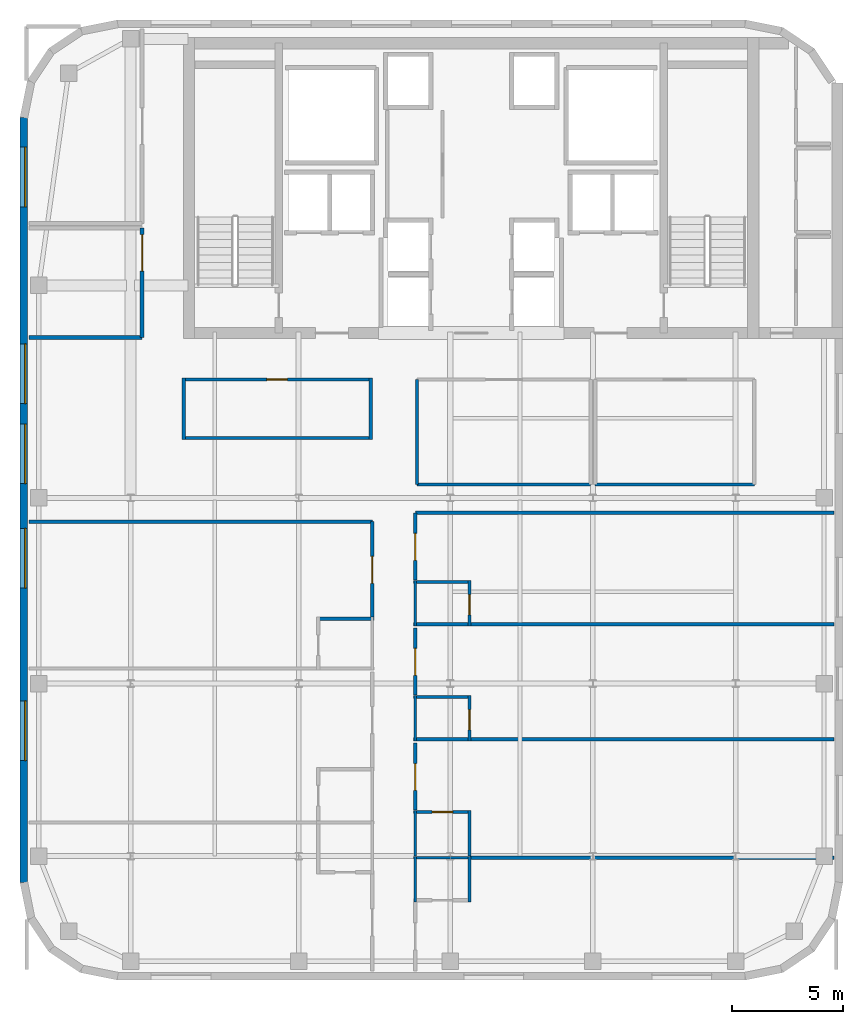
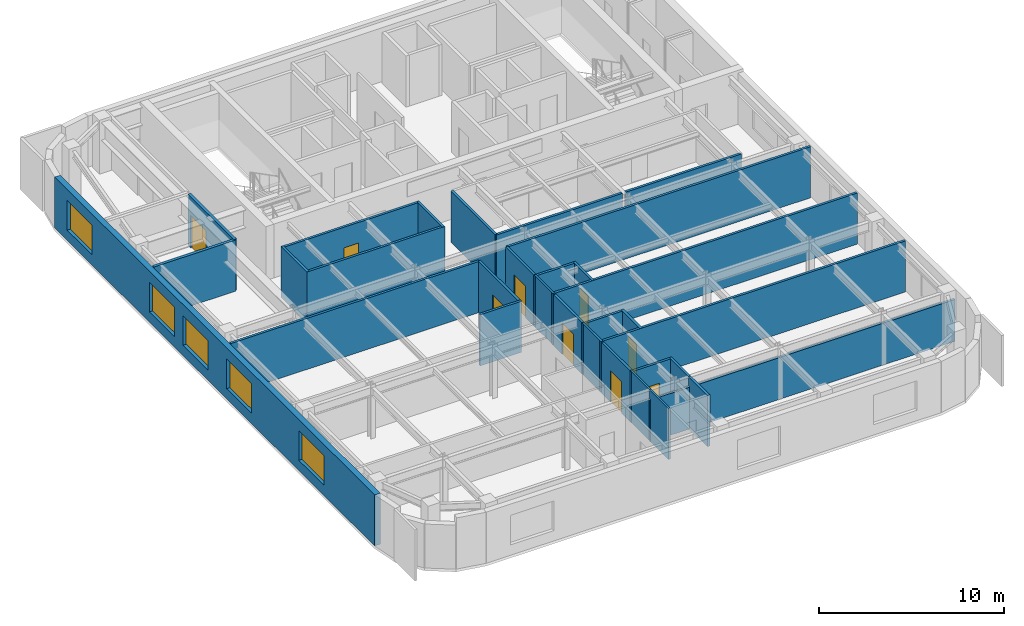
# One storey, part 4 of 8: 32 walls, 9 doors, 5 windows, 14 openings.
"""IFC4 building model written with IfcOpenShell, lengths in metres."""

from ifc_helpers import new_model, si_unit, direction, frame, frame_2d, origin, place, context, subcontext, project, spatial, rectangle, extrude, source, transform, mapped, material, layer, layer_set, type_object, type_shapes, element, fill, save


model = new_model("IFC4")

# Units and contexts
model_context = context("Model", 3, precision=1e-05, world=origin(), true_north=direction((0.0, 1.0)))
body_context = subcontext(model_context, "Body", "Model", "MODEL_VIEW")
ifc_project = project(units=[si_unit("LENGTHUNIT", "METRE"), si_unit("AREAUNIT", "SQUARE_METRE"), si_unit("VOLUMEUNIT", "CUBIC_METRE"), si_unit("PLANEANGLEUNIT", "RADIAN"), si_unit("MASSUNIT", "GRAM", prefix="KILO")], contexts=[model_context])

# Site, building, storey
site_placement = place(None, origin())
site = spatial("IfcSite", under=ifc_project, at=site_placement, CompositionType="ELEMENT")
building_placement = place(site_placement, origin())
building = spatial("IfcBuilding", under=site, at=building_placement, Name="Tolvann Quenvar Hotel", CompositionType="ELEMENT")
storey_placement = place(building_placement, frame((0.0, 0.0, 231.0)))
storey = spatial("IfcBuildingStorey", under=building, at=storey_placement, Name="L61", CompositionType="ELEMENT", Elevation=231.0)

# Wall, openings, windows
ifc_material_1 = material(Name="Kiln-fired red and buff architectural clay brickwork and terracotta masonry", Category="masonry")
ifc_layer_1 = layer(ifc_material_1, 0.35009765625)
ifc_layer_set_1 = layer_set([ifc_layer_1], Name="Kiln-fired red and buff architectural clay brickwork and terracotta masonry")
wall_type_1 = type_object("IfcWallType", Name="WALL_EXT_BRICK_350", PredefinedType="SOLIDWALL", material=ifc_layer_set_1)
wall_1_placement = place(storey_placement, frame((2.77490234375, 41.582763671875, 0.0), z_axis=(0.0, 0.0, 1.0), x_axis=(0.0, -1.0, 0.0)))
wall_1 = element("IfcWall", 1, at=wall_1_placement, inside=storey, type_object=wall_type_1, Name="Exterior Chicago Brick Wall L61-E19", PredefinedType="SOLIDWALL", context=body_context, shape_type="SweptSolid", body=[
    extrude(rectangle(XDim=34.565673828125, YDim=0.35009765625, at=frame_2d((17.28271484375, 0.0))), origin(), (0.0, 0.0, 1.0), 3.3701171875),
])
opening_1_placement = place(wall_1_placement, frame((1.3349609375, 0.0, 0.679931640625)))
opening_1 = element("IfcOpeningElement", 2, at=opening_1_placement, cuts=wall_1, Name="Opening W-04", PredefinedType="OPENING", context=body_context, shape_type="SweptSolid", body=[
    extrude(rectangle(XDim=2.699951171875, YDim=1.949951171875, at=frame_2d((1.35009765625, 0.97509765625))), frame((0.0, 0.18505859375, 0.0), z_axis=(0.0, -1.0, 0.0), x_axis=(1.0, 0.0, 0.0)), (0.0, 0.0, 1.0), 0.3701171875),
])
opening_2_placement = place(wall_1_placement, frame((10.22705078125, 0.0, 0.679931640625)))
opening_2 = element("IfcOpeningElement", 3, at=opening_2_placement, cuts=wall_1, Name="Opening W-04", PredefinedType="OPENING", context=body_context, shape_type="SweptSolid", body=[
    extrude(rectangle(XDim=2.699951171875, YDim=1.949951171875, at=frame_2d((1.35009765625, 0.97509765625))), frame((0.0, 0.18505859375, 0.0), z_axis=(0.0, -1.0, 0.0), x_axis=(1.0, 0.0, 0.0)), (0.0, 0.0, 1.0), 0.3701171875),
])
opening_3_placement = place(wall_1_placement, frame((13.846923828125, 0.0, 0.679931640625)))
opening_3 = element("IfcOpeningElement", 4, at=opening_3_placement, cuts=wall_1, Name="Opening W-04", PredefinedType="OPENING", context=body_context, shape_type="SweptSolid", body=[
    extrude(rectangle(XDim=2.699951171875, YDim=1.949951171875, at=frame_2d((1.35009765625, 0.97509765625))), frame((0.0, 0.18505859375, 0.0), z_axis=(0.0, -1.0, 0.0), x_axis=(1.0, 0.0, 0.0)), (0.0, 0.0, 1.0), 0.3701171875),
])
opening_4_placement = place(wall_1_placement, frame((18.568115234375, 0.0, 0.679931640625)))
opening_4 = element("IfcOpeningElement", 5, at=opening_4_placement, cuts=wall_1, Name="Opening W-04", PredefinedType="OPENING", context=body_context, shape_type="SweptSolid", body=[
    extrude(rectangle(XDim=2.699951171875, YDim=1.949951171875, at=frame_2d((1.35009765625, 0.97509765625))), frame((0.0, 0.18505859375, 0.0), z_axis=(0.0, -1.0, 0.0), x_axis=(1.0, 0.0, 0.0)), (0.0, 0.0, 1.0), 0.3701171875),
])
opening_5_placement = place(wall_1_placement, frame((26.360107421875, 0.0, 0.679931640625)))
opening_5 = element("IfcOpeningElement", 6, at=opening_5_placement, cuts=wall_1, Name="Opening W-04", PredefinedType="OPENING", context=body_context, shape_type="SweptSolid", body=[
    extrude(rectangle(XDim=2.699951171875, YDim=1.949951171875, at=frame_2d((1.35009765625, 0.97509765625))), frame((0.0, 0.18505859375, 0.0), z_axis=(0.0, -1.0, 0.0), x_axis=(1.0, 0.0, 0.0)), (0.0, 0.0, 1.0), 0.3701171875),
])
ifc_material_2 = material(Name="Thermally broken bronze-anodised aluminium frame with double low-E glazing", Category="aluminium")
window_type = type_object("IfcWindowType", Name="WIN_STE_2700x2150", PartitioningType="TRIPLE_PANEL_HORIZONTAL", PredefinedType="WINDOW", material=ifc_material_2)
shared_shape_1 = source(origin(), body_context, "Body", "SweptSolid", [
    extrude(rectangle(XDim=2.699951171875, YDim=1.949951171875, at=frame_2d((1.35009765625, 0.97509765625))), frame((0.0, 0.090087890625, 0.0), z_axis=(0.0, -1.0, 0.0), x_axis=(1.0, 0.0, 0.0)), (0.0, 0.0, 1.0), 0.06005859375),
])
type_shapes(window_type, [shared_shape_1])
window_1_placement = place(opening_1_placement, origin())
window_1 = element("IfcWindow", 7, at=window_1_placement, inside=storey, type_object=window_type, Name="Chicago Window W-04 (EW-L61-E19-W01)", OverallHeight=1.949951171875, OverallWidth=2.699951171875, PartitioningType="TRIPLE_PANEL_HORIZONTAL", PredefinedType="WINDOW", context=body_context, shape_type="MappedRepresentation", body=[
    mapped(shared_shape_1, transform((0.0, 0.0, 0.0), x_axis=(1.0, 0.0, 0.0), y_axis=(0.0, 1.0, 0.0), z_axis=(0.0, 0.0, 1.0), scale=1.0)),
])
fill(opening_1, window_1)
window_2_placement = place(opening_2_placement, origin())
window_2 = element("IfcWindow", 8, at=window_2_placement, inside=storey, type_object=window_type, Name="Chicago Window W-04 (EW-L61-E19-W02)", OverallHeight=1.949951171875, OverallWidth=2.699951171875, PartitioningType="TRIPLE_PANEL_HORIZONTAL", PredefinedType="WINDOW", context=body_context, shape_type="MappedRepresentation", body=[
    mapped(shared_shape_1, transform((0.0, 0.0, 0.0), x_axis=(1.0, 0.0, 0.0), y_axis=(0.0, 1.0, 0.0), z_axis=(0.0, 0.0, 1.0), scale=1.0)),
])
fill(opening_2, window_2)
window_3_placement = place(opening_3_placement, origin())
window_3 = element("IfcWindow", 9, at=window_3_placement, inside=storey, type_object=window_type, Name="Chicago Window W-04 (EW-L61-E19-W03)", OverallHeight=1.949951171875, OverallWidth=2.699951171875, PartitioningType="TRIPLE_PANEL_HORIZONTAL", PredefinedType="WINDOW", context=body_context, shape_type="MappedRepresentation", body=[
    mapped(shared_shape_1, transform((0.0, 0.0, 0.0), x_axis=(1.0, 0.0, 0.0), y_axis=(0.0, 1.0, 0.0), z_axis=(0.0, 0.0, 1.0), scale=1.0)),
])
fill(opening_3, window_3)
window_4_placement = place(opening_4_placement, origin())
window_4 = element("IfcWindow", 10, at=window_4_placement, inside=storey, type_object=window_type, Name="Chicago Window W-04 (EW-L61-E19-W04)", OverallHeight=1.949951171875, OverallWidth=2.699951171875, PartitioningType="TRIPLE_PANEL_HORIZONTAL", PredefinedType="WINDOW", context=body_context, shape_type="MappedRepresentation", body=[
    mapped(shared_shape_1, transform((0.0, 0.0, 0.0), x_axis=(1.0, 0.0, 0.0), y_axis=(0.0, 1.0, 0.0), z_axis=(0.0, 0.0, 1.0), scale=1.0)),
])
fill(opening_4, window_4)
window_5_placement = place(opening_5_placement, origin())
window_5 = element("IfcWindow", 11, at=window_5_placement, inside=storey, type_object=window_type, Name="Chicago Window W-04 (EW-L61-E19-W05)", OverallHeight=1.949951171875, OverallWidth=2.699951171875, PartitioningType="TRIPLE_PANEL_HORIZONTAL", PredefinedType="WINDOW", context=body_context, shape_type="MappedRepresentation", body=[
    mapped(shared_shape_1, transform((0.0, 0.0, 0.0), x_axis=(1.0, 0.0, 0.0), y_axis=(0.0, 1.0, 0.0), z_axis=(0.0, 0.0, 1.0), scale=1.0)),
])
fill(opening_5, window_5)

# Wall
ifc_material_3 = material(Name="Acoustic twin-stud fire-rated gypsum plasterboard partition")
ifc_layer_2 = layer(ifc_material_3, 0.179931640625)
ifc_layer_set_2 = layer_set([ifc_layer_2], Name="Acoustic twin-stud fire-rated gypsum plasterboard partition")
wall_type_2 = type_object("IfcWallType", Name="WALL_PART_ACOUSTIC_180", PredefinedType="PARTITIONING", material=ifc_layer_set_2)
wall_2_placement = place(storey_placement, frame((3.0048828125, 31.64990234375, 0.0), z_axis=(0.0, 0.0, 1.0), x_axis=(1.0, 0.0, 0.0)))
element("IfcWall", 12, at=wall_2_placement, inside=storey, type_object=wall_type_2, Name="Interior Partition PT-SPC-L61-SAL-S", PredefinedType="PARTITIONING", context=body_context, shape_type="SweptSolid", body=[
    extrude(rectangle(XDim=5.115234375, YDim=0.179931640625, at=frame_2d((2.5576171875, 0.0))), origin(), (0.0, 0.0, 1.0), 3.3701171875),
])

# Wall, opening, door
wall_3_placement = place(storey_placement, frame((8.1201171875, 31.64990234375, 0.0), z_axis=(0.0, 0.0, 1.0), x_axis=(0.0, 1.0, 0.0)))
wall_3 = element("IfcWall", 13, at=wall_3_placement, inside=storey, type_object=wall_type_2, Name="Interior Partition PT-SPC-L61-SAL-E", PredefinedType="PARTITIONING", context=body_context, shape_type="SweptSolid", body=[
    extrude(rectangle(XDim=4.9501953125, YDim=0.179931640625, at=frame_2d((2.47509765625, 0.0))), origin(), (0.0, 0.0, 1.0), 3.3701171875),
])
opening_6_placement = place(wall_3_placement, frame((3.0, 0.0, 0.0)))
opening_6 = element("IfcOpeningElement", 14, at=opening_6_placement, cuts=wall_3, Name="Opening AD-01", PredefinedType="OPENING", context=body_context, shape_type="SweptSolid", body=[
    extrude(rectangle(XDim=1.64990234375, YDim=2.14990234375, at=frame_2d((0.824951171875, 1.074951171875))), frame((0.0, 0.10009765625, 0.0), z_axis=(0.0, -1.0, 0.0), x_axis=(1.0, 0.0, 0.0)), (0.0, 0.0, 1.0), 0.199951171875),
])
ifc_material_4 = material(Name="Solid-core American oak acoustic fire door leaf in steel frame", Category="steel")
door_type_1 = type_object("IfcDoorType", Name="DOOR_SALON_1650", OperationType="NOTDEFINED", PredefinedType="DOOR", material=ifc_material_4)
shared_shape_2 = source(origin(), body_context, "Body", "SweptSolid", [
    extrude(rectangle(XDim=1.64990234375, YDim=2.14990234375, at=frame_2d((0.824951171875, 1.074951171875))), frame((0.0, 0.02490234375, 0.0), z_axis=(0.0, -1.0, 0.0), x_axis=(1.0, 0.0, 0.0)), (0.0, 0.0, 1.0), 0.050048828125),
])
type_shapes(door_type_1, [shared_shape_2])
door_1_placement = place(opening_6_placement, origin())
door_1 = element("IfcDoor", 15, at=door_1_placement, inside=storey, type_object=door_type_1, Name="Interior Door DOOR-SPC-L61-SAL", OperationType="DOUBLE_DOOR_SINGLE_SWING", OverallHeight=2.14990234375, OverallWidth=1.64990234375, PredefinedType="DOOR", context=body_context, shape_type="MappedRepresentation", body=[
    mapped(shared_shape_2, transform((0.0, 0.0, 0.0), x_axis=(1.0, 0.0, 0.0), y_axis=(0.0, 1.0, 0.0), z_axis=(0.0, 0.0, 1.0), scale=1.0)),
])
fill(opening_6, door_1)

# Walls
ifc_material_5 = material(Name="Moisture-resistant acoustic plumbing wall assembly")
ifc_layer_3 = layer(ifc_material_5, 0.1201171875)
ifc_layer_set_3 = layer_set([ifc_layer_3], Name="Moisture-resistant acoustic plumbing wall assembly")
wall_type_3 = type_object("IfcWallType", Name="WALL_PART_BATH_120", PredefinedType="PLUMBINGWALL", material=ifc_layer_set_3)
wall_4_placement = place(storey_placement, frame((20.39990234375, 8.1201171875, 0.0), z_axis=(0.0, 0.0, 1.0), x_axis=(1.0, 0.0, 0.0)))
element("IfcWall", 16, at=wall_4_placement, inside=storey, type_object=wall_type_3, Name="Non-Rated Plumbing Partition PT-SPC-L61-ENS-EO01-N", PredefinedType="PLUMBINGWALL", context=body_context, shape_type="SweptSolid", body=[
    extrude(rectangle(XDim=2.590087890625, YDim=0.1201171875, at=frame_2d((1.294921875, 0.0))), origin(), (0.0, 0.0, 1.0), 2.758056640625),
])
for number, where, z_axis, x_axis, name in (
    (17, (20.469970703125, 6.135009765625, 0.0), (0.0, 0.0, 1.0), (0.0, 1.0, 0.0), "Non-Rated Plumbing Partition PT-SPC-L61-ENS-EO01-W"),
    (18, (20.469970703125, 8.2099609375, 0.0), (0.0, 0.0, 1.0), (0.0, 1.0, 0.0), "Non-Rated Plumbing Partition PT-SPC-L61-ENS-EO02-W"),
):
    element("IfcWall", number, at=place(storey_placement, frame(where, z_axis=z_axis, x_axis=x_axis)), inside=storey, type_object=wall_type_3, Name=name, PredefinedType="PLUMBINGWALL", context=body_context, shape_type="SweptSolid", body=[
        extrude(rectangle(XDim=2.054931640625, YDim=0.1201171875, at=frame_2d((1.02734375, 0.0))), origin(), (0.0, 0.0, 1.0), 3.3701171875),
    ])
wall_5_placement = place(storey_placement, frame((20.469970703125, 13.409912109375, 0.0), z_axis=(0.0, 0.0, 1.0), x_axis=(0.0, 1.0, 0.0)))
element("IfcWall", 19, at=wall_5_placement, inside=storey, type_object=wall_type_3, Name="Non-Rated Plumbing Partition PT-SPC-L61-ENS-EO03-W", PredefinedType="PLUMBINGWALL", context=body_context, shape_type="SweptSolid", body=[
    extrude(rectangle(XDim=2.05517578125, YDim=0.1201171875, at=frame_2d((1.027587890625, 0.0))), origin(), (0.0, 0.0, 1.0), 3.3701171875),
])
wall_6_placement = place(storey_placement, frame((20.469970703125, 18.610107421875, 0.0), z_axis=(0.0, 0.0, 1.0), x_axis=(0.0, 1.0, 0.0)))
element("IfcWall", 20, at=wall_6_placement, inside=storey, type_object=wall_type_3, Name="Non-Rated Plumbing Partition PT-SPC-L61-ENS-EO04-W", PredefinedType="PLUMBINGWALL", context=body_context, shape_type="SweptSolid", body=[
    extrude(rectangle(XDim=2.054931640625, YDim=0.1201171875, at=frame_2d((1.02734375, 0.0))), origin(), (0.0, 0.0, 1.0), 3.3701171875),
])
ifc_layer_4 = layer(ifc_material_3, 0.14990234375)
ifc_layer_set_4 = layer_set([ifc_layer_4], Name="Acoustic twin-stud fire-rated gypsum plasterboard partition")
wall_type_4 = type_object("IfcWallType", Name="WALL_PART_SUITE_150", PredefinedType="PARTITIONING", material=ifc_layer_set_4)
wall_7_placement = place(storey_placement, frame((16.010009765625, 18.929931640625, 0.0), z_axis=(0.0, 0.0, 1.0), x_axis=(1.0, 0.0, 0.0)))
element("IfcWall", 21, at=wall_7_placement, inside=storey, type_object=wall_type_4, Name="Interior Partition PT-SPC-L61-ENS-WO03-N", PredefinedType="PARTITIONING", context=body_context, shape_type="SweptSolid", body=[
    extrude(rectangle(XDim=2.590087890625, YDim=0.14990234375, at=frame_2d((1.294921875, 0.0))), origin(), (0.0, 0.0, 1.0), 3.3701171875),
])
for number, where, z_axis, x_axis, name in (
    (22, (22.919921875, 6.135009765625, 0.0), (0.0, 0.0, 1.0), (0.0, 1.0, 0.0), "Interior Partition PT-SPC-L61-ENS-EO01-ENT"),
    (23, (22.919921875, 8.2099609375, 0.0), (0.0, 0.0, 1.0), (0.0, 1.0, 0.0), "Interior Partition PT-SPC-L61-ENS-EO02-ENT"),
):
    element("IfcWall", number, at=place(storey_placement, frame(where, z_axis=z_axis, x_axis=x_axis)), inside=storey, type_object=wall_type_4, Name=name, PredefinedType="PARTITIONING", context=body_context, shape_type="SweptSolid", body=[
        extrude(rectangle(XDim=2.054931640625, YDim=0.14990234375, at=frame_2d((1.02734375, 0.0))), origin(), (0.0, 0.0, 1.0), 3.3701171875),
    ])

# Wall, opening, door
wall_8_placement = place(storey_placement, frame((20.39990234375, 10.195068359375, 0.0), z_axis=(0.0, 0.0, 1.0), x_axis=(1.0, 0.0, 0.0)))
wall_8 = element("IfcWall", 24, at=wall_8_placement, inside=storey, type_object=wall_type_4, Name="Interior Partition PT-SPC-L61-ENS-EO02-N", PredefinedType="PARTITIONING", context=body_context, shape_type="SweptSolid", body=[
    extrude(rectangle(XDim=2.590087890625, YDim=0.14990234375, at=frame_2d((1.294921875, 0.0))), origin(), (0.0, 0.0, 1.0), 3.3701171875),
])
opening_7_placement = place(wall_8_placement, frame((0.8349609375, 0.0, 0.0)))
opening_7 = element("IfcOpeningElement", 25, at=opening_7_placement, cuts=wall_8, Name="Opening WD-01", PredefinedType="OPENING", context=body_context, shape_type="SweptSolid", body=[
    extrude(rectangle(XDim=0.919921875, YDim=2.010009765625, at=frame_2d((0.4599609375, 1.0048828125))), frame((0.0, 0.0849609375, 0.0), z_axis=(0.0, -1.0, 0.0), x_axis=(1.0, 0.0, 0.0)), (0.0, 0.0, 1.0), 0.169921875),
])
door_type_2 = type_object("IfcDoorType", Name="DOOR_WC_920", OperationType="NOTDEFINED", PredefinedType="DOOR", material=ifc_material_4)
shared_shape_3 = source(origin(), body_context, "Body", "SweptSolid", [
    extrude(rectangle(XDim=0.919921875, YDim=2.010009765625, at=frame_2d((0.4599609375, 1.0048828125))), frame((0.0, 0.02490234375, 0.0), z_axis=(0.0, -1.0, 0.0), x_axis=(1.0, 0.0, 0.0)), (0.0, 0.0, 1.0), 0.050048828125),
])
type_shapes(door_type_2, [shared_shape_3])
door_2_placement = place(opening_7_placement, origin())
door_2 = element("IfcDoor", 26, at=door_2_placement, inside=storey, type_object=door_type_2, Name="Interior Door DOOR-SPC-L61-ENS-EO02", OperationType="SINGLE_SWING_LEFT", OverallHeight=2.010009765625, OverallWidth=0.919921875, PredefinedType="DOOR", context=body_context, shape_type="MappedRepresentation", body=[
    mapped(shared_shape_3, transform((0.0, 0.0, 0.0), x_axis=(1.0, 0.0, 0.0), y_axis=(0.0, 1.0, 0.0), z_axis=(0.0, 0.0, 1.0), scale=1.0)),
])
fill(opening_7, door_2)

wall_9_placement = place(storey_placement, frame((22.919921875, 13.409912109375, 0.0), z_axis=(0.0, 0.0, 1.0), x_axis=(0.0, 1.0, 0.0)))
wall_9 = element("IfcWall", 27, at=wall_9_placement, inside=storey, type_object=wall_type_4, Name="Interior Partition PT-SPC-L61-ENS-EO03-ENT", PredefinedType="PARTITIONING", context=body_context, shape_type="SweptSolid", body=[
    extrude(rectangle(XDim=2.05517578125, YDim=0.14990234375, at=frame_2d((1.027587890625, 0.0))), origin(), (0.0, 0.0, 1.0), 3.3701171875),
])
opening_8_placement = place(wall_9_placement, frame((0.49755859375, 0.0, 0.0)))
opening_8 = element("IfcOpeningElement", 28, at=opening_8_placement, cuts=wall_9, Name="Opening WD-01", PredefinedType="OPENING", context=body_context, shape_type="SweptSolid", body=[
    extrude(rectangle(XDim=0.919921875, YDim=2.010009765625, at=frame_2d((0.4599609375, 1.0048828125))), frame((0.0, 0.0849609375, 0.0), z_axis=(0.0, -1.0, 0.0), x_axis=(1.0, 0.0, 0.0)), (0.0, 0.0, 1.0), 0.169921875),
])
door_3_placement = place(opening_8_placement, origin())
door_3 = element("IfcDoor", 29, at=door_3_placement, inside=storey, type_object=door_type_2, Name="Interior Door DOOR-SPC-L61-ENS-EO03", OperationType="SINGLE_SWING_RIGHT", OverallHeight=2.010009765625, OverallWidth=0.919921875, PredefinedType="DOOR", context=body_context, shape_type="MappedRepresentation", body=[
    mapped(shared_shape_3, transform((0.0, 0.0, 0.0), x_axis=(1.0, 0.0, 0.0), y_axis=(0.0, 1.0, 0.0), z_axis=(0.0, 0.0, 1.0), scale=1.0)),
])
fill(opening_8, door_3)

# Walls
wall_10_placement = place(storey_placement, frame((20.39990234375, 13.47998046875, 0.0), z_axis=(0.0, 0.0, 1.0), x_axis=(1.0, 0.0, 0.0)))
element("IfcWall", 30, at=wall_10_placement, inside=storey, type_object=wall_type_4, Name="Interior Partition PT-SPC-L61-ENS-EO03-S", PredefinedType="PARTITIONING", context=body_context, shape_type="SweptSolid", body=[
    extrude(rectangle(XDim=18.9951171875, YDim=0.14990234375, at=frame_2d((9.49755859375, 0.0))), origin(), (0.0, 0.0, 1.0), 3.3701171875),
])
wall_11_placement = place(storey_placement, frame((20.39990234375, 15.39501953125, 0.0), z_axis=(0.0, 0.0, 1.0), x_axis=(1.0, 0.0, 0.0)))
element("IfcWall", 31, at=wall_11_placement, inside=storey, type_object=wall_type_4, Name="Interior Partition PT-SPC-L61-ENS-EO03-N", PredefinedType="PARTITIONING", context=body_context, shape_type="SweptSolid", body=[
    extrude(rectangle(XDim=2.590087890625, YDim=0.14990234375, at=frame_2d((1.294921875, 0.0))), origin(), (0.0, 0.0, 1.0), 3.3701171875),
])

# Wall, opening, door
wall_12_placement = place(storey_placement, frame((22.919921875, 18.610107421875, 0.0), z_axis=(0.0, 0.0, 1.0), x_axis=(0.0, 1.0, 0.0)))
wall_12 = element("IfcWall", 32, at=wall_12_placement, inside=storey, type_object=wall_type_4, Name="Interior Partition PT-SPC-L61-ENS-EO04-ENT", PredefinedType="PARTITIONING", context=body_context, shape_type="SweptSolid", body=[
    extrude(rectangle(XDim=2.054931640625, YDim=0.14990234375, at=frame_2d((1.02734375, 0.0))), origin(), (0.0, 0.0, 1.0), 3.3701171875),
])
opening_9_placement = place(wall_12_placement, frame((0.49755859375, 0.0, 0.0)))
opening_9 = element("IfcOpeningElement", 33, at=opening_9_placement, cuts=wall_12, Name="Opening WD-01", PredefinedType="OPENING", context=body_context, shape_type="SweptSolid", body=[
    extrude(rectangle(XDim=0.919921875, YDim=2.010009765625, at=frame_2d((0.4599609375, 1.0048828125))), frame((0.0, 0.0849609375, 0.0), z_axis=(0.0, -1.0, 0.0), x_axis=(1.0, 0.0, 0.0)), (0.0, 0.0, 1.0), 0.169921875),
])
door_4_placement = place(opening_9_placement, origin())
door_4 = element("IfcDoor", 34, at=door_4_placement, inside=storey, type_object=door_type_2, Name="Interior Door DOOR-SPC-L61-ENS-EO04", OperationType="SINGLE_SWING_LEFT", OverallHeight=2.010009765625, OverallWidth=0.919921875, PredefinedType="DOOR", context=body_context, shape_type="MappedRepresentation", body=[
    mapped(shared_shape_3, transform((0.0, 0.0, 0.0), x_axis=(1.0, 0.0, 0.0), y_axis=(0.0, 1.0, 0.0), z_axis=(0.0, 0.0, 1.0), scale=1.0)),
])
fill(opening_9, door_4)

# Walls
wall_13_placement = place(storey_placement, frame((20.39990234375, 18.679931640625, 0.0), z_axis=(0.0, 0.0, 1.0), x_axis=(1.0, 0.0, 0.0)))
element("IfcWall", 35, at=wall_13_placement, inside=storey, type_object=wall_type_4, Name="Interior Partition PT-SPC-L61-ENS-EO04-S", PredefinedType="PARTITIONING", context=body_context, shape_type="SweptSolid", body=[
    extrude(rectangle(XDim=18.9951171875, YDim=0.14990234375, at=frame_2d((9.49755859375, 0.0))), origin(), (0.0, 0.0, 1.0), 3.3701171875),
])
wall_14_placement = place(storey_placement, frame((20.39990234375, 20.594970703125, 0.0), z_axis=(0.0, 0.0, 1.0), x_axis=(1.0, 0.0, 0.0)))
element("IfcWall", 36, at=wall_14_placement, inside=storey, type_object=wall_type_4, Name="Interior Partition PT-SPC-L61-ENS-EO04-N", PredefinedType="PARTITIONING", context=body_context, shape_type="SweptSolid", body=[
    extrude(rectangle(XDim=2.590087890625, YDim=0.14990234375, at=frame_2d((1.294921875, 0.0))), origin(), (0.0, 0.0, 1.0), 3.3701171875),
])

# Wall, opening, door
wall_15_placement = place(storey_placement, frame((18.530029296875, 19.010009765625, 0.0), z_axis=(0.0, 0.0, 1.0), x_axis=(0.0, 1.0, 0.0)))
wall_15 = element("IfcWall", 37, at=wall_15_placement, inside=storey, type_object=wall_type_4, Name="Interior Partition PT-SPC-L61-RM-WO03-ENT", PredefinedType="PARTITIONING", context=body_context, shape_type="SweptSolid", body=[
    extrude(rectangle(XDim=4.31005859375, YDim=0.14990234375, at=frame_2d((2.155029296875, 0.0))), origin(), (0.0, 0.0, 1.0), 3.3701171875),
])
opening_10_placement = place(wall_15_placement, frame((1.52490234375, 0.0, 0.0)))
opening_10 = element("IfcOpeningElement", 38, at=opening_10_placement, cuts=wall_15, Name="Opening SD-02", PredefinedType="OPENING", context=body_context, shape_type="SweptSolid", body=[
    extrude(rectangle(XDim=1.219970703125, YDim=2.080078125, at=frame_2d((0.60986328125, 1.0400390625))), frame((0.0, 0.0849609375, 0.0), z_axis=(0.0, -1.0, 0.0), x_axis=(1.0, 0.0, 0.0)), (0.0, 0.0, 1.0), 0.169921875),
])
door_type_3 = type_object("IfcDoorType", Name="DOOR_VIP_1220", OperationType="NOTDEFINED", PredefinedType="DOOR", material=ifc_material_4)
shared_shape_4 = source(origin(), body_context, "Body", "SweptSolid", [
    extrude(rectangle(XDim=1.219970703125, YDim=2.080078125, at=frame_2d((0.60986328125, 1.0400390625))), frame((0.0, 0.02490234375, 0.0), z_axis=(0.0, -1.0, 0.0), x_axis=(1.0, 0.0, 0.0)), (0.0, 0.0, 1.0), 0.050048828125),
])
type_shapes(door_type_3, [shared_shape_4])
door_5_placement = place(opening_10_placement, origin())
door_5 = element("IfcDoor", 39, at=door_5_placement, inside=storey, type_object=door_type_3, Name="Interior Door DOOR-SPC-L61-RM-WO03", OperationType="SINGLE_SWING_RIGHT", OverallHeight=2.080078125, OverallWidth=1.219970703125, PredefinedType="DOOR", context=body_context, shape_type="MappedRepresentation", body=[
    mapped(shared_shape_4, transform((0.0, 0.0, 0.0), x_axis=(1.0, 0.0, 0.0), y_axis=(0.0, 1.0, 0.0), z_axis=(0.0, 0.0, 1.0), scale=1.0)),
])
fill(opening_10, door_5)

# Walls
wall_16_placement = place(storey_placement, frame((3.0048828125, 23.320068359375, 0.0), z_axis=(0.0, 0.0, 1.0), x_axis=(1.0, 0.0, 0.0)))
element("IfcWall", 40, at=wall_16_placement, inside=storey, type_object=wall_type_4, Name="Interior Partition PT-SPC-L61-RM-WO03-E5", PredefinedType="PARTITIONING", context=body_context, shape_type="SweptSolid", body=[
    extrude(rectangle(XDim=15.525146484375, YDim=0.14990234375, at=frame_2d((7.7626953125, 0.0))), origin(), (0.0, 0.0, 1.0), 3.3701171875),
])
wall_17_placement = place(storey_placement, frame((22.93994140625, 8.1201171875, 0.0), z_axis=(0.0, 0.0, 1.0), x_axis=(1.0, 0.0, 0.0)))
element("IfcWall", 41, at=wall_17_placement, inside=storey, type_object=wall_type_4, Name="Interior Partition PT-SPC-L61-RM-EO01-E3", PredefinedType="PARTITIONING", context=body_context, shape_type="SweptSolid", body=[
    extrude(rectangle(XDim=16.455078125, YDim=0.14990234375, at=frame_2d((8.2275390625, 0.0))), origin(), (0.0, 0.0, 1.0), 2.758056640625),
])

# Wall, opening, door
wall_18_placement = place(storey_placement, frame((20.469970703125, 10.27490234375, 0.0), z_axis=(0.0, 0.0, 1.0), x_axis=(0.0, 1.0, 0.0)))
wall_18 = element("IfcWall", 42, at=wall_18_placement, inside=storey, type_object=wall_type_4, Name="Interior Partition PT-SPC-L61-RM-EO02-ENT", PredefinedType="PARTITIONING", context=body_context, shape_type="SweptSolid", body=[
    extrude(rectangle(XDim=3.045166015625, YDim=0.14990234375, at=frame_2d((1.5224609375, 0.0))), origin(), (0.0, 0.0, 1.0), 3.3701171875),
])
opening_11_placement = place(wall_18_placement, frame((0.892578125, 0.0, 0.0)))
opening_11 = element("IfcOpeningElement", 43, at=opening_11_placement, cuts=wall_18, Name="Opening SD-02", PredefinedType="OPENING", context=body_context, shape_type="SweptSolid", body=[
    extrude(rectangle(XDim=1.219970703125, YDim=2.080078125, at=frame_2d((0.60986328125, 1.0400390625))), frame((0.0, 0.0849609375, 0.0), z_axis=(0.0, -1.0, 0.0), x_axis=(1.0, 0.0, 0.0)), (0.0, 0.0, 1.0), 0.169921875),
])
door_6_placement = place(opening_11_placement, origin())
door_6 = element("IfcDoor", 44, at=door_6_placement, inside=storey, type_object=door_type_3, Name="Interior Door DOOR-SPC-L61-RM-EO02", OperationType="SINGLE_SWING_RIGHT", OverallHeight=2.080078125, OverallWidth=1.219970703125, PredefinedType="DOOR", context=body_context, shape_type="MappedRepresentation", body=[
    mapped(shared_shape_4, transform((0.0, 0.0, 0.0), x_axis=(1.0, 0.0, 0.0), y_axis=(0.0, 1.0, 0.0), z_axis=(0.0, 0.0, 1.0), scale=1.0)),
])
fill(opening_11, door_6)

wall_19_placement = place(storey_placement, frame((20.469970703125, 15.47509765625, 0.0), z_axis=(0.0, 0.0, 1.0), x_axis=(0.0, 1.0, 0.0)))
wall_19 = element("IfcWall", 45, at=wall_19_placement, inside=storey, type_object=wall_type_4, Name="Interior Partition PT-SPC-L61-RM-EO03-ENT", PredefinedType="PARTITIONING", context=body_context, shape_type="SweptSolid", body=[
    extrude(rectangle(XDim=3.044921875, YDim=0.14990234375, at=frame_2d((1.5224609375, 0.0))), origin(), (0.0, 0.0, 1.0), 3.3701171875),
])
opening_12_placement = place(wall_19_placement, frame((0.892578125, 0.0, 0.0)))
opening_12 = element("IfcOpeningElement", 46, at=opening_12_placement, cuts=wall_19, Name="Opening SD-02", PredefinedType="OPENING", context=body_context, shape_type="SweptSolid", body=[
    extrude(rectangle(XDim=1.219970703125, YDim=2.080078125, at=frame_2d((0.60986328125, 1.0400390625))), frame((0.0, 0.0849609375, 0.0), z_axis=(0.0, -1.0, 0.0), x_axis=(1.0, 0.0, 0.0)), (0.0, 0.0, 1.0), 0.169921875),
])
door_7_placement = place(opening_12_placement, origin())
door_7 = element("IfcDoor", 47, at=door_7_placement, inside=storey, type_object=door_type_3, Name="Interior Door DOOR-SPC-L61-RM-EO03", OperationType="SINGLE_SWING_LEFT", OverallHeight=2.080078125, OverallWidth=1.219970703125, PredefinedType="DOOR", context=body_context, shape_type="MappedRepresentation", body=[
    mapped(shared_shape_4, transform((0.0, 0.0, 0.0), x_axis=(1.0, 0.0, 0.0), y_axis=(0.0, 1.0, 0.0), z_axis=(0.0, 0.0, 1.0), scale=1.0)),
])
fill(opening_12, door_7)

wall_20_placement = place(storey_placement, frame((20.469970703125, 20.675048828125, 0.0), z_axis=(0.0, 0.0, 1.0), x_axis=(0.0, 1.0, 0.0)))
wall_20 = element("IfcWall", 48, at=wall_20_placement, inside=storey, type_object=wall_type_4, Name="Interior Partition PT-SPC-L61-RM-EO04-ENT", PredefinedType="PARTITIONING", context=body_context, shape_type="SweptSolid", body=[
    extrude(rectangle(XDim=3.044921875, YDim=0.14990234375, at=frame_2d((1.5224609375, 0.0))), origin(), (0.0, 0.0, 1.0), 3.3701171875),
])
opening_13_placement = place(wall_20_placement, frame((0.892578125, 0.0, 0.0)))
opening_13 = element("IfcOpeningElement", 49, at=opening_13_placement, cuts=wall_20, Name="Opening SD-02", PredefinedType="OPENING", context=body_context, shape_type="SweptSolid", body=[
    extrude(rectangle(XDim=1.219970703125, YDim=2.080078125, at=frame_2d((0.60986328125, 1.0400390625))), frame((0.0, 0.0849609375, 0.0), z_axis=(0.0, -1.0, 0.0), x_axis=(1.0, 0.0, 0.0)), (0.0, 0.0, 1.0), 0.169921875),
])
door_8_placement = place(opening_13_placement, origin())
door_8 = element("IfcDoor", 50, at=door_8_placement, inside=storey, type_object=door_type_3, Name="Interior Door DOOR-SPC-L61-RM-EO04", OperationType="SINGLE_SWING_RIGHT", OverallHeight=2.080078125, OverallWidth=1.219970703125, PredefinedType="DOOR", context=body_context, shape_type="MappedRepresentation", body=[
    mapped(shared_shape_4, transform((0.0, 0.0, 0.0), x_axis=(1.0, 0.0, 0.0), y_axis=(0.0, 1.0, 0.0), z_axis=(0.0, 0.0, 1.0), scale=1.0)),
])
fill(opening_13, door_8)

# Walls
wall_21_placement = place(storey_placement, frame((20.469970703125, 23.719970703125, 0.0), z_axis=(0.0, 0.0, 1.0), x_axis=(1.0, 0.0, 0.0)))
element("IfcWall", 51, at=wall_21_placement, inside=storey, type_object=wall_type_4, Name="Interior Partition PT-SPC-L61-RM-EO04-E5", PredefinedType="PARTITIONING", context=body_context, shape_type="SweptSolid", body=[
    extrude(rectangle(XDim=18.925048828125, YDim=0.14990234375, at=frame_2d((9.46240234375, 0.0))), origin(), (0.0, 0.0, 1.0), 3.3701171875),
])
wall_22_placement = place(storey_placement, frame((9.929931640625, 27.10009765625, 0.0), z_axis=(0.0, 0.0, 1.0), x_axis=(1.0, 0.0, 0.0)))
element("IfcWall", 52, at=wall_22_placement, inside=storey, type_object=wall_type_4, Name="Interior Partition PT-SPC-L61-WCA-S", PredefinedType="PARTITIONING", context=body_context, shape_type="SweptSolid", body=[
    extrude(rectangle(XDim=8.590087890625, YDim=0.14990234375, at=frame_2d((4.294921875, 0.0))), origin(), (0.0, 0.0, 1.0), 3.3701171875),
])

# Wall, opening, door
wall_23_placement = place(storey_placement, frame((9.929931640625, 29.75, 0.0), z_axis=(0.0, 0.0, 1.0), x_axis=(1.0, 0.0, 0.0)))
wall_23 = element("IfcWall", 53, at=wall_23_placement, inside=storey, type_object=wall_type_4, Name="Interior Partition PT-SPC-L61-WCA-N", PredefinedType="PARTITIONING", context=body_context, shape_type="SweptSolid", body=[
    extrude(rectangle(XDim=8.590087890625, YDim=0.14990234375, at=frame_2d((4.294921875, 0.0))), origin(), (0.0, 0.0, 1.0), 3.3701171875),
])
opening_14_placement = place(wall_23_placement, frame((3.8349609375, 0.0, 0.0)))
opening_14 = element("IfcOpeningElement", 54, at=opening_14_placement, cuts=wall_23, Name="Opening WD-01", PredefinedType="OPENING", context=body_context, shape_type="SweptSolid", body=[
    extrude(rectangle(XDim=0.919921875, YDim=2.010009765625, at=frame_2d((0.4599609375, 1.0048828125))), frame((0.0, 0.0849609375, 0.0), z_axis=(0.0, -1.0, 0.0), x_axis=(1.0, 0.0, 0.0)), (0.0, 0.0, 1.0), 0.169921875),
])
door_9_placement = place(opening_14_placement, origin())
door_9 = element("IfcDoor", 55, at=door_9_placement, inside=storey, type_object=door_type_2, Name="Interior Door DOOR-SPC-L61-WCA", OperationType="SINGLE_SWING_LEFT", OverallHeight=2.010009765625, OverallWidth=0.919921875, PredefinedType="DOOR", context=body_context, shape_type="MappedRepresentation", body=[
    mapped(shared_shape_3, transform((0.0, 0.0, 0.0), x_axis=(1.0, 0.0, 0.0), y_axis=(0.0, 1.0, 0.0), z_axis=(0.0, 0.0, 1.0), scale=1.0)),
])
fill(opening_14, door_9)

# Walls
for number, where, z_axis, x_axis, name in (
    (56, (10.0, 27.030029296875, 0.0), (0.0, 0.0, 1.0), (0.0, 1.0, 0.0), "Interior Partition PT-SPC-L61-WCA-W"),
    (57, (18.449951171875, 27.030029296875, 0.0), (0.0, 0.0, 1.0), (0.0, 1.0, 0.0), "Interior Partition PT-SPC-L61-WCA-E"),
):
    element("IfcWall", number, at=place(storey_placement, frame(where, z_axis=z_axis, x_axis=x_axis)), inside=storey, type_object=wall_type_4, Name=name, PredefinedType="PARTITIONING", context=body_context, shape_type="SweptSolid", body=[
        extrude(rectangle(XDim=2.7900390625, YDim=0.14990234375, at=frame_2d((1.39501953125, 0.0))), origin(), (0.0, 0.0, 1.0), 3.3701171875),
    ])
wall_24_placement = place(storey_placement, frame((20.550048828125, 25.0, 0.0), z_axis=(0.0, 0.0, 1.0), x_axis=(1.0, 0.0, 0.0)))
element("IfcWall", 58, at=wall_24_placement, inside=storey, type_object=wall_type_4, Name="Interior Partition PT-SPC-L61-LOUNGE-S", PredefinedType="PARTITIONING", context=body_context, shape_type="SweptSolid", body=[
    extrude(rectangle(XDim=7.849853515625, YDim=0.14990234375, at=frame_2d((3.9248046875, 0.0))), origin(), (0.0, 0.0, 1.0), 3.3701171875),
])
wall_25_placement = place(storey_placement, frame((20.550048828125, 25.0, 0.0), z_axis=(0.0, 0.0, 1.0), x_axis=(0.0, 1.0, 0.0)))
element("IfcWall", 59, at=wall_25_placement, inside=storey, type_object=wall_type_4, Name="Interior Partition PT-SPC-L61-LOUNGE-W", PredefinedType="PARTITIONING", context=body_context, shape_type="SweptSolid", body=[
    extrude(rectangle(XDim=4.75, YDim=0.14990234375, at=frame_2d((2.375, 0.0))), origin(), (0.0, 0.0, 1.0), 3.3701171875),
])
wall_26_placement = place(storey_placement, frame((28.60009765625, 25.0, 0.0), z_axis=(0.0, 0.0, 1.0), x_axis=(1.0, 0.0, 0.0)))
element("IfcWall", 60, at=wall_26_placement, inside=storey, type_object=wall_type_4, Name="Interior Partition PT-SPC-L61-PNTR-S", PredefinedType="PARTITIONING", context=body_context, shape_type="SweptSolid", body=[
    extrude(rectangle(XDim=7.199951171875, YDim=0.14990234375, at=frame_2d((3.60009765625, 0.0))), origin(), (0.0, 0.0, 1.0), 3.3701171875),
])

save(model, "model.ifc")
